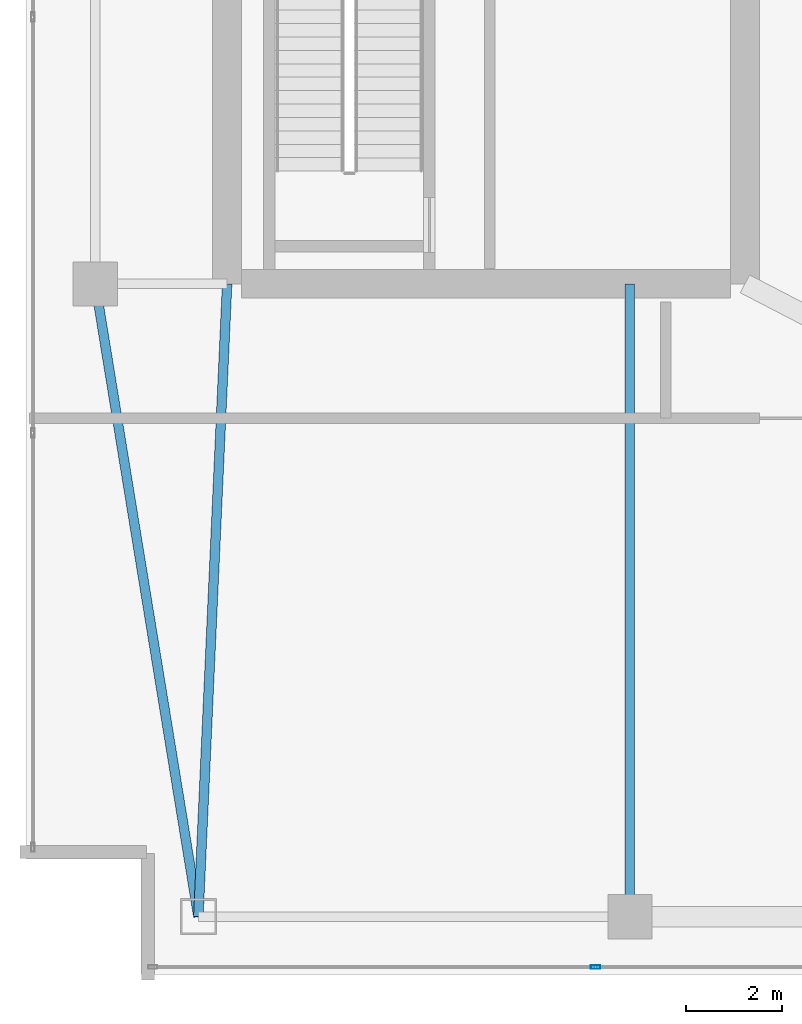
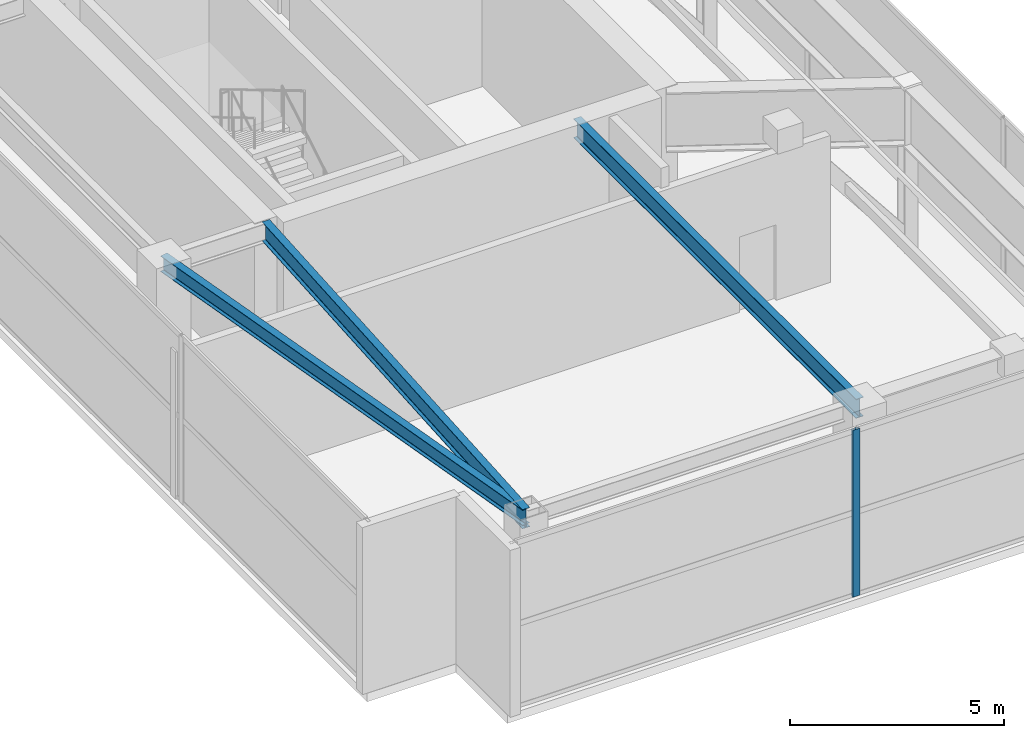
# One storey, part 4 of 20: 3 beams, 1 member, 1 element without a shape of its own.
"""IFC4 building model written with IfcOpenShell, lengths in metres."""

from ifc_helpers import new_model, si_unit, direction, frame, origin, origin_2d, place, context, subcontext, project, spatial, hollow_rectangle, i_section, extrude, material, layer, layer_set, material_profile, profile_set, type_object, element, aggregate, save


model = new_model("IFC4")

# Units and contexts
model_context = context("Model", 3, precision=1e-05, world=origin(), true_north=direction((0.0, 1.0)))
body_context = subcontext(model_context, "Body", "Model", "MODEL_VIEW")
ifc_project = project(units=[si_unit("LENGTHUNIT", "METRE"), si_unit("AREAUNIT", "SQUARE_METRE"), si_unit("VOLUMEUNIT", "CUBIC_METRE"), si_unit("PLANEANGLEUNIT", "RADIAN"), si_unit("MASSUNIT", "GRAM", prefix="KILO")], contexts=[model_context])

# Site, building, storey
site_placement = place(None, origin())
site = spatial("IfcSite", under=ifc_project, at=site_placement, CompositionType="ELEMENT")
building_placement = place(site_placement, origin())
building = spatial("IfcBuilding", under=site, at=building_placement, Name="Calvorn Quay Hotel", CompositionType="ELEMENT")
storey_placement = place(building_placement, frame((0.0, 0.0, 340.5)))
storey = spatial("IfcBuildingStorey", under=building, at=storey_placement, Name="L83", CompositionType="ELEMENT", Elevation=340.5)

# Beams
ifc_material_1 = material(Name="Steel Q355B", Category="steel")
ifc_material_profile_1 = material_profile(ifc_material_1, i_section(OverallWidth=0.199951171875, OverallDepth=0.550048828125, WebThickness=0.010009765625, FlangeThickness=0.01611328125, FilletRadius=0.01806640625, at=origin_2d()), Name="HN550x200x10x16")
ifc_profile_set_1 = profile_set([ifc_material_profile_1], Name="Steel Q355B")
beam_type_1 = type_object("IfcBeamType", Name="BM-GIRD-UPP", PredefinedType="BEAM", material=ifc_profile_set_1)
beam_1_placement = place(storey_placement, frame((3.60009765625, 3.60009765625, 4.465087890625), z_axis=(0.045396765494, 0.998969035397, 0.0), x_axis=(-0.998969035397, 0.045396765494, 0.0)))
element("IfcBeam", 1, at=beam_1_placement, inside=storey, type_object=beam_type_1, Name="Beam BG-L83-W0", PredefinedType="BEAM", context=body_context, shape_type="SweptSolid", body=[
    extrude(i_section(OverallWidth=0.199951171875, OverallDepth=0.550048828125, WebThickness=0.010009765625, FlangeThickness=0.01611328125, FilletRadius=0.01806640625, at=origin_2d()), origin(), (0.0, 0.0, 1.0), 13.213623046875),
])
beam_2_placement = place(storey_placement, frame((12.60009765625, 3.60009765625, 4.465087890625), z_axis=(0.0, 1.0, 0.0), x_axis=(-1.0, 0.0, 0.0)))
element("IfcBeam", 2, at=beam_2_placement, inside=storey, type_object=beam_type_1, Name="Beam BG-L83-CS1", PredefinedType="BEAM", context=body_context, shape_type="SweptSolid", body=[
    extrude(i_section(OverallWidth=0.199951171875, OverallDepth=0.550048828125, WebThickness=0.010009765625, FlangeThickness=0.01611328125, FilletRadius=0.01806640625, at=origin_2d()), origin(), (0.0, 0.0, 1.0), 13.199951171875),
])
ifc_material_2 = material(Name="Steel Q355B", Category="steel")
ifc_material_profile_2 = material_profile(ifc_material_2, i_section(OverallWidth=0.199951171875, OverallDepth=0.449951171875, WebThickness=0.009033203125, FlangeThickness=0.013916015625, FilletRadius=0.01611328125, at=origin_2d()), Name="HN450x200x9x14")
ifc_profile_set_2 = profile_set([ifc_material_profile_2], Name="Steel Q355B")
beam_type_2 = type_object("IfcBeamType", Name="BM-SPANDREL-Z3", PredefinedType="SPANDREL", material=ifc_profile_set_2)
beam_3_placement = place(storey_placement, frame((3.60009765625, 3.60009765625, 4.514892578125), z_axis=(-0.16077155054, 0.986991645627, 0.0), x_axis=(-0.986991645627, -0.16077155054, 0.0)))
element("IfcBeam", 3, at=beam_3_placement, inside=storey, type_object=beam_type_2, Name="Beam BSP-L83-W1", PredefinedType="SPANDREL", context=body_context, shape_type="SweptSolid", body=[
    extrude(i_section(OverallWidth=0.199951171875, OverallDepth=0.449951171875, WebThickness=0.009033203125, FlangeThickness=0.013916015625, FilletRadius=0.01611328125, at=origin_2d()), origin(), (0.0, 0.0, 1.0), 13.3740234375),
])

# Curtain wall, member
ifc_material_3 = material(Name="Pale Anodised Aluminium and Laminated Glass", Category="aluminium")
ifc_layer = layer(ifc_material_3, 0.219970703125)
ifc_layer_set = layer_set([ifc_layer], Name="CW-SYS-CRN")
curtain_wall_type = type_object("IfcCurtainWallType", Name="CW-SYS-CRN", PredefinedType="NOTDEFINED", material=ifc_layer_set)
curtain_wall_placement = place(storey_placement, origin())
curtain_wall = element("IfcCurtainWall", 4, at=curtain_wall_placement, inside=storey, type_object=curtain_wall_type, Name="Crown Curtain Wall L83-C1", PredefinedType="NOTDEFINED")
ifc_material_4 = material(Name="Pale Anodised Aluminium 6063-T6", Category="aluminium")
ifc_material_profile_3 = material_profile(ifc_material_4, hollow_rectangle(XDim=0.072021484375, YDim=0.195068359375, WallThickness=0.00390625, at=origin_2d()), Name="ALU-M195x72x4")
ifc_profile_set_3 = profile_set([ifc_material_profile_3], Name="Pale Anodised Aluminium 6063-T6")
member_type = type_object("IfcMemberType", Name="CW-SYS-CRN-MUL", PredefinedType="MULLION", material=ifc_profile_set_3)
member_placement = place(storey_placement, frame((11.883544921875, 2.550048828125, 0.0), z_axis=(0.0, 0.0, 1.0), x_axis=(0.0, 1.0, 0.0)))
member = element("IfcMember", 5, at=member_placement, type_object=member_type, Name="CW-L83-C1 mullion 2", PredefinedType="MULLION", context=body_context, shape_type="SweptSolid", body=[
    extrude(hollow_rectangle(XDim=0.072021484375, YDim=0.195068359375, WallThickness=0.00390625, at=origin_2d()), origin(), (0.0, 0.0, 1.0), 4.760009765625),
])
aggregate(curtain_wall, [member])

save(model, "model.ifc")
